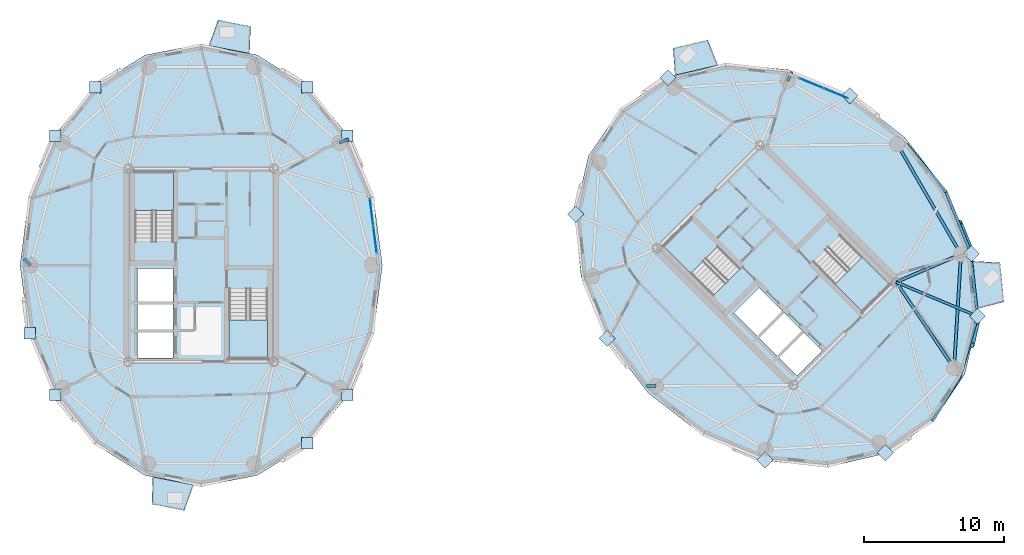
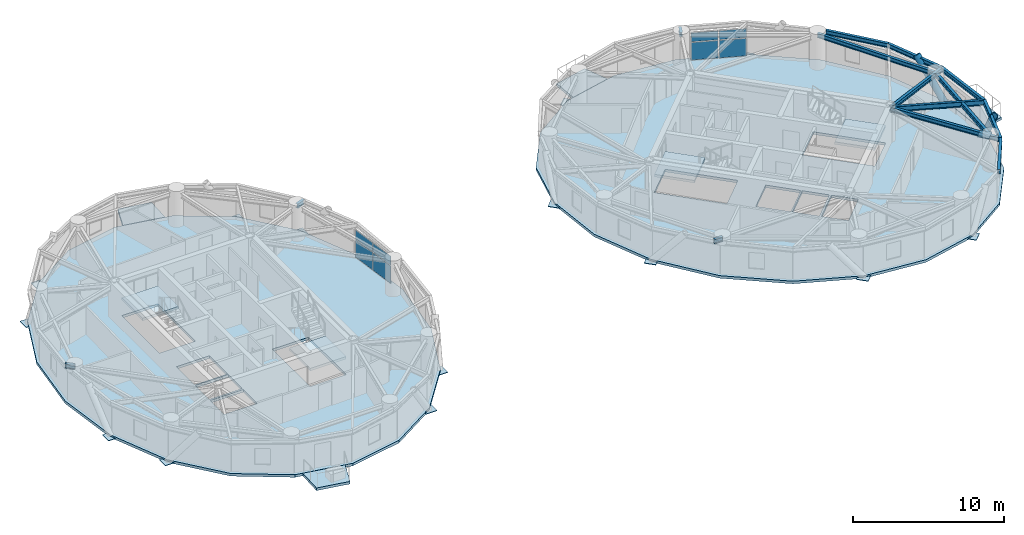
# One storey, part 6 of 16: 24 plates, 14 beams, 10 slabs, 2 members, 6 elements without a shape of their own.
"""IFC4 building model written with IfcOpenShell, lengths in metres."""

from ifc_helpers import new_model, si_unit, direction, frame, origin, origin_2d, place, context, subcontext, project, spatial, polyline, rectangle, hollow_circle, i_section, outline, extrude, source, transform, mapped, material, layer, layer_set, material_profile, profile_set, type_object, element, aggregate, save


model = new_model("IFC4")

# Units and contexts
model_context = context("Model", 3, precision=1e-05, world=origin(), true_north=direction((0.0, 1.0)))
body_context = subcontext(model_context, "Body", "Model", "MODEL_VIEW")
ifc_project = project(units=[si_unit("LENGTHUNIT", "METRE"), si_unit("AREAUNIT", "SQUARE_METRE"), si_unit("VOLUMEUNIT", "CUBIC_METRE"), si_unit("PLANEANGLEUNIT", "RADIAN"), si_unit("MASSUNIT", "GRAM", prefix="KILO")], contexts=[model_context])

# Site, building, storey
site_placement = place(None, origin())
site = spatial("IfcSite", under=ifc_project, at=site_placement, CompositionType="ELEMENT")
building_placement = place(site_placement, origin())
building = spatial("IfcBuilding", under=site, at=building_placement, Name="Cununo Teusaquillo Station Towers", CompositionType="ELEMENT")
storey_placement = place(building_placement, frame((0.0, 0.0, 208.300048828125)))
storey = spatial("IfcBuildingStorey", under=building, at=storey_placement, Name="L66", CompositionType="ELEMENT", Elevation=208.300048828125)

# Beams
ifc_material_1 = material(Name="Steel ASTM A572 Grade 50", Category="steel")
ifc_material_profile_1 = material_profile(ifc_material_1, i_section(OverallWidth=0.180908203125, OverallDepth=0.4169921875, WebThickness=0.010986328125, FlangeThickness=0.018310546875, FilletRadius=0.012939453125, at=origin_2d()), Name="W16X57")
ifc_profile_set_1 = profile_set([ifc_material_profile_1], Name="Steel ASTM A572 Grade 50")
beam_type_1 = type_object("IfcBeamType", Name="BM-JOIST-1", PredefinedType="JOIST", material=ifc_profile_set_1)
beam_1_placement = place(storey_placement, frame((66.024169921875, 23.29443359375, 2.491455078125), z_axis=(0.922169338565, -0.386786389381, 0.0), x_axis=(0.386786389381, 0.922169338565, 0.0)))
element("IfcBeam", 1, at=beam_1_placement, inside=storey, type_object=beam_type_1, Name="L66 Tower B Radial Spandrel Joist V17", PredefinedType="JOIST", context=body_context, shape_type="SweptSolid", body=[
    extrude(i_section(OverallWidth=0.180908203125, OverallDepth=0.4169921875, WebThickness=0.010986328125, FlangeThickness=0.018310546875, FilletRadius=0.012939453125, at=origin_2d()), origin(), (0.0, 0.0, 1.0), 6.281005859375),
])
ifc_material_2 = material(Name="Steel ASTM A572 Grade 50", Category="steel")
ifc_material_profile_2 = material_profile(ifc_material_2, i_section(OverallWidth=0.2041015625, OverallDepth=0.35009765625, WebThickness=0.008544921875, FlangeThickness=0.01513671875, FilletRadius=0.011962890625, at=origin_2d()), Name="W14X48")
ifc_profile_set_2 = profile_set([ifc_material_profile_2], Name="Steel ASTM A572 Grade 50")
beam_type_2 = type_object("IfcBeamType", Name="BM-RAD-G3", PredefinedType="BEAM", material=ifc_profile_set_2)
beam_2_placement = place(storey_placement, frame((26.347412109375, 33.228515625, 2.52490234375), z_axis=(0.929761307449, 0.368162886738, 0.0), x_axis=(-0.368162886738, 0.929761307449, 0.0)))
element("IfcBeam", 2, at=beam_2_placement, inside=storey, type_object=beam_type_2, Name="L66 Tower A Perimeter Overhang Girder 02B", PredefinedType="BEAM", context=body_context, shape_type="SweptSolid", body=[
    extrude(i_section(OverallWidth=0.2041015625, OverallDepth=0.35009765625, WebThickness=0.008544921875, FlangeThickness=0.01513671875, FilletRadius=0.011962890625, at=origin_2d()), origin(), (0.0, 0.0, 1.0), 0.691650390625),
])
beam_3_placement = place(storey_placement, frame((4.327880859375, 24.5, 2.52490234375), z_axis=(-0.712904743691, 0.701260883283, 0.0), x_axis=(-0.701260883283, -0.712904743691, 0.0)))
element("IfcBeam", 3, at=beam_3_placement, inside=storey, type_object=beam_type_2, Name="L66 Tower A Perimeter Overhang Girder 06B", PredefinedType="BEAM", context=body_context, shape_type="SweptSolid", body=[
    extrude(i_section(OverallWidth=0.2041015625, OverallDepth=0.35009765625, WebThickness=0.008544921875, FlangeThickness=0.01513671875, FilletRadius=0.011962890625, at=origin_2d()), origin(), (0.0, 0.0, 1.0), 0.64990234375),
])
beam_4_placement = place(storey_placement, frame((58.291015625, 37.63525390625, 2.52490234375), z_axis=(0.397409333503, 0.917641445034, 0.0), x_axis=(-0.917641445034, 0.397409333503, 0.0)))
element("IfcBeam", 4, at=beam_4_placement, inside=storey, type_object=beam_type_2, Name="L66 Tower B Perimeter Overhang Girder 02B", PredefinedType="BEAM", context=body_context, shape_type="SweptSolid", body=[
    extrude(i_section(OverallWidth=0.2041015625, OverallDepth=0.35009765625, WebThickness=0.008544921875, FlangeThickness=0.01513671875, FilletRadius=0.011962890625, at=origin_2d()), origin(), (0.0, 0.0, 1.0), 0.691650390625),
])
beam_5_placement = place(storey_placement, frame((48.89306640625, 15.89306640625, 2.52490234375), z_axis=(-0.999962704276, -0.008636553586, 0.0), x_axis=(0.008636553586, -0.999962704276, 0.0)))
element("IfcBeam", 5, at=beam_5_placement, inside=storey, type_object=beam_type_2, Name="L66 Tower B Perimeter Overhang Girder 06B", PredefinedType="BEAM", context=body_context, shape_type="SweptSolid", body=[
    extrude(i_section(OverallWidth=0.2041015625, OverallDepth=0.35009765625, WebThickness=0.008544921875, FlangeThickness=0.01513671875, FilletRadius=0.011962890625, at=origin_2d()), origin(), (0.0, 0.0, 1.0), 0.650146484375),
])
beam_6_placement = place(storey_placement, frame((66.024169921875, 23.29443359375, 2.52490234375), z_axis=(0.558570844079, -0.829456817529, 0.0), x_axis=(0.829456817529, 0.558570844079, 0.0)))
element("IfcBeam", 6, at=beam_6_placement, inside=storey, type_object=beam_type_2, Name="L66 Tower B Continuous Overhanging Radial Girder 09", PredefinedType="BEAM", context=body_context, shape_type="SweptSolid", body=[
    extrude(i_section(OverallWidth=0.2041015625, OverallDepth=0.35009765625, WebThickness=0.008544921875, FlangeThickness=0.01513671875, FilletRadius=0.011962890625, at=origin_2d()), origin(), (0.0, 0.0, 1.0), 8.1240234375),
])
beam_7_placement = place(storey_placement, frame((66.024169921875, 23.29443359375, 2.52490234375), z_axis=(0.917665176837, 0.397354530893, 0.0), x_axis=(-0.397354530893, 0.917665176837, 0.0)))
element("IfcBeam", 7, at=beam_7_placement, inside=storey, type_object=beam_type_2, Name="L66 Tower B Continuous Overhanging Radial Girder 10", PredefinedType="BEAM", context=body_context, shape_type="SweptSolid", body=[
    extrude(i_section(OverallWidth=0.2041015625, OverallDepth=0.35009765625, WebThickness=0.008544921875, FlangeThickness=0.01513671875, FilletRadius=0.011962890625, at=origin_2d()), origin(), (0.0, 0.0, 1.0), 5.716552734375),
])
ifc_material_3 = material(Name="Steel ASTM A572 Grade 50", Category="steel")
ifc_material_profile_3 = material_profile(ifc_material_3, i_section(OverallWidth=0.2041015625, OverallDepth=0.35009765625, WebThickness=0.008544921875, FlangeThickness=0.01513671875, FilletRadius=0.011962890625, at=origin_2d()), Name="W14X48")
ifc_profile_set_3 = profile_set([ifc_material_profile_3], Name="Steel ASTM A572 Grade 50")
beam_type_3 = type_object("IfcBeamType", Name="BM-RING-Z4", PredefinedType="SPANDREL", material=ifc_profile_set_3)
beam_8_placement = place(storey_placement, frame((70.146240234375, 17.173095703125, 2.52490234375), z_axis=(0.06012979176, 0.998190567048, 0.0), x_axis=(-0.998190567048, 0.06012979176, 0.0)))
element("IfcBeam", 8, at=beam_8_placement, inside=storey, type_object=beam_type_3, Name="L66 Tower B Structural Column Ring Girder 09", PredefinedType="SPANDREL", context=body_context, shape_type="SweptSolid", body=[
    extrude(i_section(OverallWidth=0.2041015625, OverallDepth=0.35009765625, WebThickness=0.008544921875, FlangeThickness=0.01513671875, FilletRadius=0.011962890625, at=origin_2d()), origin(), (0.0, 0.0, 1.0), 8.132568359375),
])
beam_9_placement = place(storey_placement, frame((70.63525390625, 25.291015625, 2.52490234375), z_axis=(-0.501311121078, 0.865267103202, 0.0), x_axis=(-0.865267103202, -0.501311121078, 0.0)))
element("IfcBeam", 9, at=beam_9_placement, inside=storey, type_object=beam_type_3, Name="L66 Tower B Structural Column Ring Girder 10", PredefinedType="SPANDREL", context=body_context, shape_type="SweptSolid", body=[
    extrude(i_section(OverallWidth=0.2041015625, OverallDepth=0.35009765625, WebThickness=0.008544921875, FlangeThickness=0.01513671875, FilletRadius=0.011962890625, at=origin_2d()), origin(), (0.0, 0.0, 1.0), 9.032958984375),
])
beam_10_placement = place(storey_placement, frame((68.594482421875, 13.405517578125, 2.52490234375), z_axis=(0.529715312739, 0.848175505099, 0.0), x_axis=(-0.848175505099, 0.529715312739, 0.0)))
element("IfcBeam", 10, at=beam_10_placement, inside=storey, type_object=beam_type_3, Name="L66 Tower B Spandrel Ring Beam 16", PredefinedType="SPANDREL", context=body_context, shape_type="SweptSolid", body=[
    extrude(i_section(OverallWidth=0.2041015625, OverallDepth=0.35009765625, WebThickness=0.008544921875, FlangeThickness=0.01513671875, FilletRadius=0.011962890625, at=origin_2d()), origin(), (0.0, 0.0, 1.0), 3.71435546875),
])
beam_11_placement = place(storey_placement, frame((70.56201171875, 16.555908203125, 2.52490234375), z_axis=(0.279502797802, 0.96014487762, 0.0), x_axis=(-0.96014487762, 0.279502797802, 0.0)))
element("IfcBeam", 11, at=beam_11_placement, inside=storey, type_object=beam_type_3, Name="L66 Tower B Spandrel Ring Beam 17", PredefinedType="SPANDREL", context=body_context, shape_type="SweptSolid", body=[
    extrude(i_section(OverallWidth=0.2041015625, OverallDepth=0.35009765625, WebThickness=0.008544921875, FlangeThickness=0.01513671875, FilletRadius=0.011962890625, at=origin_2d()), origin(), (0.0, 0.0, 1.0), 4.488037109375),
])
beam_12_placement = place(storey_placement, frame((71.81640625, 20.864990234375, 2.52490234375), z_axis=(-0.115452326356, 0.993313022334, 0.0), x_axis=(-0.993313022334, -0.115452326356, 0.0)))
element("IfcBeam", 12, at=beam_12_placement, inside=storey, type_object=beam_type_3, Name="L66 Tower B Spandrel Ring Beam 18", PredefinedType="SPANDREL", context=body_context, shape_type="SweptSolid", body=[
    extrude(i_section(OverallWidth=0.2041015625, OverallDepth=0.35009765625, WebThickness=0.008544921875, FlangeThickness=0.01513671875, FilletRadius=0.011962890625, at=origin_2d()), origin(), (0.0, 0.0, 1.0), 4.732666015625),
])
beam_13_placement = place(storey_placement, frame((71.27001953125, 25.56591796875, 2.52490234375), z_axis=(-0.379275405388, 0.925283830437, 0.0), x_axis=(-0.925283830437, -0.379275405388, 0.0)))
element("IfcBeam", 13, at=beam_13_placement, inside=storey, type_object=beam_type_3, Name="L66 Tower B Spandrel Ring Beam 19", PredefinedType="SPANDREL", context=body_context, shape_type="SweptSolid", body=[
    extrude(i_section(OverallWidth=0.2041015625, OverallDepth=0.35009765625, WebThickness=0.008544921875, FlangeThickness=0.01513671875, FilletRadius=0.011962890625, at=origin_2d()), origin(), (0.0, 0.0, 1.0), 4.482177734375),
])
beam_14_placement = place(storey_placement, frame((69.570068359375, 29.713134765625, 2.52490234375), z_axis=(-0.637524682095, 0.770429931739, 0.0), x_axis=(-0.770429931739, -0.637524682095, 0.0)))
element("IfcBeam", 14, at=beam_14_placement, inside=storey, type_object=beam_type_3, Name="L66 Tower B Spandrel Ring Beam 20", PredefinedType="SPANDREL", context=body_context, shape_type="SweptSolid", body=[
    extrude(i_section(OverallWidth=0.2041015625, OverallDepth=0.35009765625, WebThickness=0.008544921875, FlangeThickness=0.01513671875, FilletRadius=0.011962890625, at=origin_2d()), origin(), (0.0, 0.0, 1.0), 4.412353515625),
])

# Members
ifc_material_4 = material(Name="Steel EN 10025-2 S355J2", Category="steel")
ifc_material_profile_4 = material_profile(ifc_material_4, hollow_circle(Radius=0.25390625, WallThickness=0.01806640625, at=origin_2d()), Name="CHS 508x18")
ifc_profile_set_4 = profile_set([ifc_material_profile_4], Name="Steel EN 10025-2 S355J2")
member_type = type_object("IfcMemberType", Name="MBR-DIAG-Z4", PredefinedType="BRACE", material=ifc_profile_set_4)
member_1_placement = place(storey_placement, frame((71.81640625, 20.864990234375, -0.14013671875), z_axis=(-0.133138350703, -0.571543919802, 0.809698541008), x_axis=(0.97392481585, -0.226871005356, 0.0)))
element("IfcMember", 15, at=member_1_placement, inside=storey, type_object=member_type, Name="L66 Tower B Folded-Zigzag Diagrid Tube C16", PredefinedType="BRACE", context=body_context, shape_type="SweptSolid", body=[
    extrude(hollow_circle(Radius=0.25390625, WallThickness=0.01806640625, at=origin_2d()), origin(), (0.0, 0.0, 1.0), 3.59423828125),
])
member_2_placement = place(storey_placement, frame((71.372314453125, 25.329833984375, -0.14013671875), z_axis=(-0.240112894686, 0.583986306041, 0.775439096359), x_axis=(-0.924874275738, -0.380273025704, 0.0)))
element("IfcMember", 16, at=member_2_placement, inside=storey, type_object=member_type, Name="L66 Tower B Folded-Zigzag Diagrid Tube C18", PredefinedType="BRACE", context=body_context, shape_type="SweptSolid", body=[
    extrude(hollow_circle(Radius=0.25390625, WallThickness=0.01806640625, at=origin_2d()), origin(), (0.0, 0.0, 1.0), 3.7529296875),
])

# Slabs
ifc_material_5 = material(Name="Concrete C50/60", Category="concrete")
ifc_layer_1 = layer(ifc_material_5, 0.2099609375)
ifc_layer_set_1 = layer_set([ifc_layer_1], Name="Concrete C50/60")
slab_type_1 = type_object("IfcSlabType", Name="SLB-BAL-210", PredefinedType="FLOOR", material=ifc_layer_set_1)
slab_1_placement = place(storey_placement, frame((0.0, 0.0, -0.2099609375)))
element("IfcSlab", 17, at=slab_1_placement, inside=storey, type_object=slab_type_1, Name="L66 Tower A Sky Garden Terrace Slab 1", PredefinedType="FLOOR", context=body_context, shape_type="SweptSolid", body=[
    extrude(outline(polyline([(19.9501953125, 39.58837890625), (17.041015625, 40.150634765625), (17.69873046875, 41.973876953125), (20.01904296875, 41.525390625), (19.9501953125, 39.58837890625)])), origin(), (0.0, 0.0, 1.0), 0.2099609375),
])
slab_2_placement = place(storey_placement, frame((0.0, 0.0, -0.2099609375)))
element("IfcSlab", 18, at=slab_2_placement, inside=storey, type_object=slab_type_1, Name="L66 Tower A Tree Balcony Slab 2", PredefinedType="FLOOR", context=body_context, shape_type="SweptSolid", body=[
    extrude(outline(polyline([(13.0498046875, 9.41162109375), (15.958984375, 8.849365234375), (15.30126953125, 7.026123046875), (12.98095703125, 7.474609375), (13.0498046875, 9.41162109375)])), origin(), (0.0, 0.0, 1.0), 0.2099609375),
])
slab_3_placement = place(storey_placement, frame((0.0, 0.0, -0.2099609375)))
element("IfcSlab", 19, at=slab_3_placement, inside=storey, type_object=slab_type_1, Name="L66 Tower B Sky Garden Terrace Slab 1", PredefinedType="FLOOR", context=body_context, shape_type="SweptSolid", body=[
    extrude(outline(polyline([(53.319091796875, 38.755615234375), (50.263671875, 38.04248046875), (50.12060546875, 39.9755859375), (52.591796875, 40.55224609375), (53.319091796875, 38.755615234375)])), origin(), (0.0, 0.0, 1.0), 0.2099609375),
])
slab_4_placement = place(storey_placement, frame((0.0, 0.0, -0.2099609375)))
element("IfcSlab", 20, at=slab_4_placement, inside=storey, type_object=slab_type_1, Name="L66 Tower B Tree Balcony Slab 2", PredefinedType="FLOOR", context=body_context, shape_type="SweptSolid", body=[
    extrude(outline(polyline([(71.826416015625, 21.403564453125), (71.490478515625, 24.79248046875), (73.42578125, 24.6826171875), (73.702392578125, 21.89111328125), (71.826416015625, 21.403564453125)])), origin(), (0.0, 0.0, 1.0), 0.2099609375),
])

# Stair, slab
ifc_material_6 = material(Name="Concrete C50/60", Category="concrete")
stair_type = type_object("IfcStairType", Name="ST-TWR-1300", PredefinedType="HALF_TURN_STAIR", material=ifc_material_6)
stair_1_placement = place(storey_placement, origin())
stair_1 = element("IfcStair", 21, at=stair_1_placement, inside=storey, type_object=stair_type, Name="L66 Tower A Protected Core Exit Stair 1", PredefinedType="HALF_TURN_STAIR")
ifc_material_7 = material(Name="Concrete C50/60", Category="concrete")
ifc_layer_2 = layer(ifc_material_7, 0.199951171875)
ifc_layer_set_2 = layer_set([ifc_layer_2], Name="Concrete C50/60")
slab_type_2 = type_object("IfcSlabType", Name="SLB-STAIR-LND", PredefinedType="LANDING", material=ifc_layer_set_2)
slab_5_placement = place(storey_placement, frame((0.0, 0.0, 1.2548828125)))
slab_5 = element("IfcSlab", 22, at=slab_5_placement, type_object=slab_type_2, Name="ST-T1-1 landing 1", PredefinedType="LANDING", context=body_context, shape_type="SweptSolid", body=[
    extrude(outline(polyline([(14.52001953125, 28.409912109375), (14.52001953125, 31.159912109375), (11.760009765625, 31.159912109375), (11.760009765625, 28.409912109375), (14.52001953125, 28.409912109375)])), origin(), (0.0, 0.0, 1.0), 0.199951171875),
])
aggregate(stair_1, [slab_5])

stair_2_placement = place(storey_placement, origin())
stair_2 = element("IfcStair", 23, at=stair_2_placement, inside=storey, type_object=stair_type, Name="L66 Tower A Protected Core Exit Stair 2", PredefinedType="HALF_TURN_STAIR")
slab_6_placement = place(storey_placement, frame((0.0, 0.0, 1.2548828125)))
slab_6 = element("IfcSlab", 24, at=slab_6_placement, type_object=slab_type_2, Name="ST-T1-2 landing 1", PredefinedType="LANDING", context=body_context, shape_type="SweptSolid", body=[
    extrude(outline(polyline([(18.47998046875, 20.590087890625), (18.47998046875, 17.840087890625), (21.239990234375, 17.840087890625), (21.239990234375, 20.590087890625), (18.47998046875, 20.590087890625)])), origin(), (0.0, 0.0, 1.0), 0.199951171875),
])
aggregate(stair_2, [slab_6])

stair_3_placement = place(storey_placement, origin())
stair_3 = element("IfcStair", 25, at=stair_3_placement, inside=storey, type_object=stair_type, Name="L66 Tower B Protected Core Exit Stair 1", PredefinedType="HALF_TURN_STAIR")
slab_7_placement = place(storey_placement, frame((0.0, 0.0, 1.2548828125)))
slab_7 = element("IfcSlab", 26, at=slab_7_placement, type_object=slab_type_2, Name="ST-T2-1 landing 1", PredefinedType="LANDING", context=body_context, shape_type="SweptSolid", body=[
    extrude(outline(polyline([(53.335205078125, 25.86474609375), (51.390625, 27.809326171875), (49.43896484375, 25.857666015625), (51.383544921875, 23.9130859375), (53.335205078125, 25.86474609375)])), origin(), (0.0, 0.0, 1.0), 0.199951171875),
])
aggregate(stair_3, [slab_7])

stair_4_placement = place(storey_placement, origin())
stair_4 = element("IfcStair", 27, at=stair_4_placement, inside=storey, type_object=stair_type, Name="L66 Tower B Protected Core Exit Stair 2", PredefinedType="HALF_TURN_STAIR")
slab_8_placement = place(storey_placement, frame((0.0, 0.0, 1.2548828125)))
slab_8 = element("IfcSlab", 28, at=slab_8_placement, type_object=slab_type_2, Name="ST-T2-2 landing 1", PredefinedType="LANDING", context=body_context, shape_type="SweptSolid", body=[
    extrude(outline(polyline([(61.664794921875, 23.13525390625), (63.609375, 21.190673828125), (65.56103515625, 23.142333984375), (63.616455078125, 25.0869140625), (61.664794921875, 23.13525390625)])), origin(), (0.0, 0.0, 1.0), 0.199951171875),
])
aggregate(stair_4, [slab_8])

# Slabs
ifc_material_8 = material(Name="Concrete C40/50", Category="concrete")
ifc_layer_3 = layer(ifc_material_8, 0.2099609375)
ifc_layer_set_3 = layer_set([ifc_layer_3], Name="Concrete C40/50")
slab_type_3 = type_object("IfcSlabType", Name="SLB-Z4-200", PredefinedType="FLOOR", material=ifc_layer_set_3)
slab_9_placement = place(storey_placement, frame((0.0, 0.0, -0.2099609375)))
element("IfcSlab", 29, at=slab_9_placement, inside=storey, type_object=slab_type_3, Name="L66 Tower A Floor Slab", PredefinedType="FLOOR", context=body_context, shape_type="SweptSolid", body=[
    extrude(outline(polyline([(29.409912109375, 24.5), (28.778076171875, 29.366943359375), (26.9443359375, 33.757568359375), (24.08837890625, 37.241943359375), (20.489501953125, 39.47900390625), (16.5, 40.25), (12.510498046875, 39.47900390625), (8.91162109375, 37.241943359375), (6.0556640625, 33.757568359375), (4.221923828125, 29.366943359375), (3.590087890625, 24.5), (4.221923828125, 19.633056640625), (6.0556640625, 15.242431640625), (8.91162109375, 11.758056640625), (12.510498046875, 9.52099609375), (16.5, 8.75), (20.489501953125, 9.52099609375), (24.08837890625, 11.758056640625), (26.9443359375, 15.242431640625), (28.778076171875, 19.633056640625), (29.409912109375, 24.5)]), holes=[polyline([(14.52001953125, 26.176025390625), (14.52001953125, 31.159912109375), (11.760009765625, 31.159912109375), (11.760009765625, 26.176025390625), (14.52001953125, 26.176025390625)]), polyline([(18.47998046875, 22.823974609375), (18.47998046875, 17.840087890625), (21.239990234375, 17.840087890625), (21.239990234375, 22.823974609375), (18.47998046875, 22.823974609375)]), polyline([(11.949951171875, 21.85009765625), (14.47998046875, 21.85009765625), (14.47998046875, 24.25), (11.949951171875, 24.25), (11.949951171875, 21.85009765625)]), polyline([(11.949951171875, 17.89990234375), (14.47998046875, 17.89990234375), (14.47998046875, 19.75), (11.949951171875, 19.75), (11.949951171875, 17.89990234375)]), polyline([(11.949951171875, 19.89990234375), (14.47998046875, 19.89990234375), (14.47998046875, 21.75), (11.949951171875, 21.75), (11.949951171875, 19.89990234375)])]), origin(), (0.0, 0.0, 1.0), 0.2099609375),
])
slab_10_placement = place(storey_placement, frame((0.0, 0.0, -0.2099609375)))
element("IfcSlab", 30, at=slab_10_placement, inside=storey, type_object=slab_type_3, Name="L66 Tower B Floor Slab", PredefinedType="FLOOR", context=body_context, shape_type="SweptSolid", body=[
    extrude(outline(polyline([(66.628662109375, 33.628662109375), (62.740478515625, 36.623291015625), (58.339111328125, 38.431396484375), (53.855712890625, 38.875732421875), (49.72900390625, 37.912841796875), (46.363037109375, 35.636962890625), (44.087158203125, 32.27099609375), (43.124267578125, 28.144287109375), (43.568603515625, 23.660888671875), (45.376708984375, 19.259521484375), (48.371337890625, 15.371337890625), (52.259521484375, 12.376708984375), (56.660888671875, 10.568603515625), (61.144287109375, 10.124267578125), (65.27099609375, 11.087158203125), (68.636962890625, 13.363037109375), (70.912841796875, 16.72900390625), (71.875732421875, 20.855712890625), (71.431396484375, 25.339111328125), (69.623291015625, 29.740478515625), (66.628662109375, 33.628662109375)]), holes=[polyline([(54.914794921875, 24.28515625), (51.390625, 27.809326171875), (49.43896484375, 25.857666015625), (52.963134765625, 22.33349609375), (54.914794921875, 24.28515625)]), polyline([(60.085205078125, 24.71484375), (63.609375, 21.190673828125), (65.56103515625, 23.142333984375), (62.036865234375, 26.66650390625), (60.085205078125, 24.71484375)]), polyline([(56.156494140625, 19.40869140625), (57.945556640625, 21.19775390625), (56.248291015625, 22.89501953125), (54.45947265625, 21.10595703125), (56.156494140625, 19.40869140625)]), polyline([(58.94970703125, 16.61572265625), (60.738525390625, 18.40478515625), (59.430419921875, 19.712890625), (57.641357421875, 17.923828125), (58.94970703125, 16.61572265625)]), polyline([(57.535400390625, 18.030029296875), (59.32421875, 19.819091796875), (58.01611328125, 21.127197265625), (56.227294921875, 19.338134765625), (57.535400390625, 18.030029296875)])]), origin(), (0.0, 0.0, 1.0), 0.2099609375),
])

# Plates
ifc_material_9 = material(Name="Steel ASTM A572 Grade 50", Category="steel")
ifc_layer_4 = layer(ifc_material_9, 0.044921875)
ifc_layer_set_4 = layer_set([ifc_layer_4], Name="Steel ASTM A572 Grade 50")
plate_type_1 = type_object("IfcPlateType", Name="PLT-NODE-DN2", PredefinedType="USERDEFINED", material=ifc_layer_set_4)
shared_shape_1 = source(origin(), body_context, "Body", "SweptSolid", [
    extrude(rectangle(XDim=0.820068359375, YDim=0.820068359375, at=origin_2d()), origin(), (0.0, 0.0, 1.0), 0.044921875),
])
for number, where, z_axis, x_axis, name in (
    (31, (26.89599609375, 33.722412109375, -0.16259765625), (0.0, 0.0, 1.0), (1.0, 0.0, 0.0), "L66 Tower A Diagrid Node Assembly C01"),
    (32, (24.052978515625, 37.193603515625, -0.16259765625), (0.0, 0.0, 1.0), (1.0, 0.0, 0.0), "L66 Tower A Diagrid Node Assembly C03"),
    (33, (8.947021484375, 37.193603515625, -0.16259765625), (0.0, 0.0, 1.0), (1.0, 0.0, 0.0), "L66 Tower A Diagrid Node Assembly C06"),
    (34, (6.10400390625, 33.722412109375, -0.16259765625), (0.0, 0.0, 1.0), (1.0, 0.0, 0.0), "L66 Tower A Diagrid Node Assembly C08"),
    (35, (4.27880859375, 19.651611328125, -0.16259765625), (0.0, 0.0, 1.0), (1.0, 0.0, 0.0), "L66 Tower A Diagrid Node Assembly C10"),
    (36, (6.10400390625, 15.277587890625, -0.16259765625), (0.0, 0.0, 1.0), (1.0, 0.0, 0.0), "L66 Tower A Diagrid Node Assembly C12"),
    (37, (24.052978515625, 11.806396484375, -0.16259765625), (0.0, 0.0, 1.0), (1.0, 0.0, 0.0), "L66 Tower A Diagrid Node Assembly C16"),
    (38, (26.89599609375, 15.277587890625, -0.16259765625), (0.0, 0.0, 1.0), (1.0, 0.0, 0.0), "L66 Tower A Diagrid Node Assembly C18"),
    (39, (62.713134765625, 36.570068359375, -0.16259765625), (0.0, 0.0, 1.0), (0.707106781187, 0.707106781187, 0.0), "L66 Tower B Diagrid Node Assembly C00"),
    (40, (49.75634765625, 37.859375, -0.16259765625), (0.0, 0.0, 1.0), (0.707106781187, 0.707106781187, 0.0), "L66 Tower B Diagrid Node Assembly C04"),
    (41, (43.18359375, 28.135009765625, -0.16259765625), (0.0, 0.0, 1.0), (0.707106781187, 0.707106781187, 0.0), "L66 Tower B Diagrid Node Assembly C06"),
    (42, (45.429931640625, 19.286865234375, -0.16259765625), (0.0, 0.0, 1.0), (0.707106781187, 0.707106781187, 0.0), "L66 Tower B Diagrid Node Assembly C09"),
    (43, (56.670166015625, 10.627685546875, -0.16259765625), (0.0, 0.0, 1.0), (0.707106781187, 0.707106781187, 0.0), "L66 Tower B Diagrid Node Assembly C11"),
    (44, (65.24365234375, 11.140625, -0.16259765625), (0.0, 0.0, 1.0), (0.707106781187, 0.707106781187, 0.0), "L66 Tower B Diagrid Node Assembly C14"),
    (45, (71.81640625, 20.864990234375, -0.16259765625), (0.0, 0.0, 1.0), (0.707106781187, 0.707106781187, 0.0), "L66 Tower B Diagrid Node Assembly C16"),
    (46, (71.372314453125, 25.329833984375, -0.16259765625), (0.0, 0.0, 1.0), (0.707106781187, 0.707106781187, 0.0), "L66 Tower B Diagrid Node Assembly C18"),
):
    element("IfcPlate", number, at=place(storey_placement, frame(where, z_axis=z_axis, x_axis=x_axis)), inside=storey, type_object=plate_type_1, Name=name, ObjectType="GUSSET PLATE", PredefinedType="USERDEFINED", context=body_context, shape_type="MappedRepresentation", body=[
        mapped(shared_shape_1, transform((0.0, 0.0, 0.0), x_axis=(1.0, 0.0, 0.0), y_axis=(0.0, 1.0, 0.0), z_axis=(0.0, 0.0, 1.0), scale=1.0)),
    ])

# Curtain wall, plates
ifc_material_10 = material(Name="Ceramic-fritted dark low-E double glazing", Category="glass")
ifc_layer_5 = layer(ifc_material_10, 0.179931640625)
ifc_layer_set_5 = layer_set([ifc_layer_5], Name="Ceramic-fritted dark low-E double glazing")
curtain_wall_type = type_object("IfcCurtainWallType", Name="CW-SYS-07", PredefinedType="USERDEFINED", material=ifc_layer_set_5)
curtain_wall_1_placement = place(storey_placement, origin())
curtain_wall_1 = element("IfcCurtainWall", 47, at=curtain_wall_1_placement, inside=storey, type_object=curtain_wall_type, Name="L66 Tower A Facade Curtain Wall C00", ObjectType="FRITTED GLAZING", PredefinedType="USERDEFINED")
ifc_material_11 = material(Name="Ceramic-fritted dark low-E double glazing", Category="glass")
ifc_layer_6 = layer(ifc_material_11, 0.028076171875)
ifc_layer_set_6 = layer_set([ifc_layer_6], Name="Ceramic-fritted dark low-E double glazing")
plate_type_2 = type_object("IfcPlateType", Name="CWP-FRIT-28", PredefinedType="CURTAIN_PANEL", material=ifc_layer_set_6)
shared_shape_2 = source(origin(), body_context, "Body", "SweptSolid", [
    extrude(rectangle(XDim=1.8876953125, YDim=0.028076171875, at=origin_2d()), origin(), (0.0, 0.0, 1.0), 1.41162109375),
])
plate_1_placement = place(storey_placement, frame((28.64111328125, 28.280029296875, 0.06494140625), z_axis=(0.0, 0.0, 1.0), x_axis=(0.12825264413, -0.991741528461, 0.0)))
plate_1 = element("IfcPlate", 48, at=plate_1_placement, type_object=plate_type_2, Name="CW-07 panel 1.1", PredefinedType="CURTAIN_PANEL", context=body_context, shape_type="MappedRepresentation", body=[
    mapped(shared_shape_2, transform((0.0, 0.0, 0.0), x_axis=(1.0, 0.0, 0.0), y_axis=(0.0, 1.0, 0.0), z_axis=(0.0, 0.0, 1.0), scale=1.0)),
])
plate_2_placement = place(storey_placement, frame((28.8916015625, 26.343505859375, 0.06494140625), z_axis=(0.0, 0.0, 1.0), x_axis=(0.12825264413, -0.991741528461, 0.0)))
plate_2 = element("IfcPlate", 49, at=plate_2_placement, type_object=plate_type_2, Name="CW-07 panel 2.1", PredefinedType="CURTAIN_PANEL", context=body_context, shape_type="MappedRepresentation", body=[
    mapped(shared_shape_2, transform((0.0, 0.0, 0.0), x_axis=(1.0, 0.0, 0.0), y_axis=(0.0, 1.0, 0.0), z_axis=(0.0, 0.0, 1.0), scale=1.0)),
])
shared_shape_3 = source(origin(), body_context, "Body", "SweptSolid", [
    extrude(rectangle(XDim=1.8876953125, YDim=0.028076171875, at=origin_2d()), origin(), (0.0, 0.0, 1.0), 0.715576171875),
])
plate_3_placement = place(storey_placement, frame((28.64111328125, 28.280029296875, 1.54150390625), z_axis=(0.0, 0.0, 1.0), x_axis=(0.12825264413, -0.991741528461, 0.0)))
plate_3 = element("IfcPlate", 50, at=plate_3_placement, type_object=plate_type_2, Name="CW-07 panel 1.2", PredefinedType="CURTAIN_PANEL", context=body_context, shape_type="MappedRepresentation", body=[
    mapped(shared_shape_3, transform((0.0, 0.0, 0.0), x_axis=(1.0, 0.0, 0.0), y_axis=(0.0, 1.0, 0.0), z_axis=(0.0, 0.0, 1.0), scale=1.0)),
])
plate_4_placement = place(storey_placement, frame((28.8916015625, 26.343505859375, 1.54150390625), z_axis=(0.0, 0.0, 1.0), x_axis=(0.12825264413, -0.991741528461, 0.0)))
plate_4 = element("IfcPlate", 51, at=plate_4_placement, type_object=plate_type_2, Name="CW-07 panel 2.2", PredefinedType="CURTAIN_PANEL", context=body_context, shape_type="MappedRepresentation", body=[
    mapped(shared_shape_3, transform((0.0, 0.0, 0.0), x_axis=(1.0, 0.0, 0.0), y_axis=(0.0, 1.0, 0.0), z_axis=(0.0, 0.0, 1.0), scale=1.0)),
])
aggregate(curtain_wall_1, [plate_1, plate_3, plate_2, plate_4])

curtain_wall_2_placement = place(storey_placement, origin())
curtain_wall_2 = element("IfcCurtainWall", 52, at=curtain_wall_2_placement, inside=storey, type_object=curtain_wall_type, Name="L66 Tower B Facade Curtain Wall C01", ObjectType="FRITTED GLAZING", PredefinedType="USERDEFINED")
shared_shape_4 = source(origin(), body_context, "Body", "SweptSolid", [
    extrude(rectangle(XDim=1.81298828125, YDim=0.028076171875, at=origin_2d()), origin(), (0.0, 0.0, 1.0), 1.41162109375),
])
plate_5_placement = place(storey_placement, frame((59.979248046875, 37.46044921875, 0.06494140625), z_axis=(0.0, 0.0, 1.0), x_axis=(0.924447019904, -0.381310513086, 0.0)))
plate_5 = element("IfcPlate", 53, at=plate_5_placement, type_object=plate_type_2, Name="CW-07 panel 1.1", PredefinedType="CURTAIN_PANEL", context=body_context, shape_type="MappedRepresentation", body=[
    mapped(shared_shape_4, transform((0.0, 0.0, 0.0), x_axis=(1.0, 0.0, 0.0), y_axis=(0.0, 1.0, 0.0), z_axis=(0.0, 0.0, 1.0), scale=1.0)),
])
plate_6_placement = place(storey_placement, frame((61.71533203125, 36.744384765625, 0.06494140625), z_axis=(0.0, 0.0, 1.0), x_axis=(0.924447019904, -0.381310513086, 0.0)))
plate_6 = element("IfcPlate", 54, at=plate_6_placement, type_object=plate_type_2, Name="CW-07 panel 2.1", PredefinedType="CURTAIN_PANEL", context=body_context, shape_type="MappedRepresentation", body=[
    mapped(shared_shape_4, transform((0.0, 0.0, 0.0), x_axis=(1.0, 0.0, 0.0), y_axis=(0.0, 1.0, 0.0), z_axis=(0.0, 0.0, 1.0), scale=1.0)),
])
shared_shape_5 = source(origin(), body_context, "Body", "SweptSolid", [
    extrude(rectangle(XDim=1.81298828125, YDim=0.028076171875, at=origin_2d()), origin(), (0.0, 0.0, 1.0), 0.715576171875),
])
plate_7_placement = place(storey_placement, frame((59.979248046875, 37.46044921875, 1.54150390625), z_axis=(0.0, 0.0, 1.0), x_axis=(0.924447019904, -0.381310513086, 0.0)))
plate_7 = element("IfcPlate", 55, at=plate_7_placement, type_object=plate_type_2, Name="CW-07 panel 1.2", PredefinedType="CURTAIN_PANEL", context=body_context, shape_type="MappedRepresentation", body=[
    mapped(shared_shape_5, transform((0.0, 0.0, 0.0), x_axis=(1.0, 0.0, 0.0), y_axis=(0.0, 1.0, 0.0), z_axis=(0.0, 0.0, 1.0), scale=1.0)),
])
plate_8_placement = place(storey_placement, frame((61.71533203125, 36.744384765625, 1.54150390625), z_axis=(0.0, 0.0, 1.0), x_axis=(0.924447019904, -0.381310513086, 0.0)))
plate_8 = element("IfcPlate", 56, at=plate_8_placement, type_object=plate_type_2, Name="CW-07 panel 2.2", PredefinedType="CURTAIN_PANEL", context=body_context, shape_type="MappedRepresentation", body=[
    mapped(shared_shape_5, transform((0.0, 0.0, 0.0), x_axis=(1.0, 0.0, 0.0), y_axis=(0.0, 1.0, 0.0), z_axis=(0.0, 0.0, 1.0), scale=1.0)),
])
aggregate(curtain_wall_2, [plate_5, plate_7, plate_6, plate_8])

save(model, "model.ifc")
